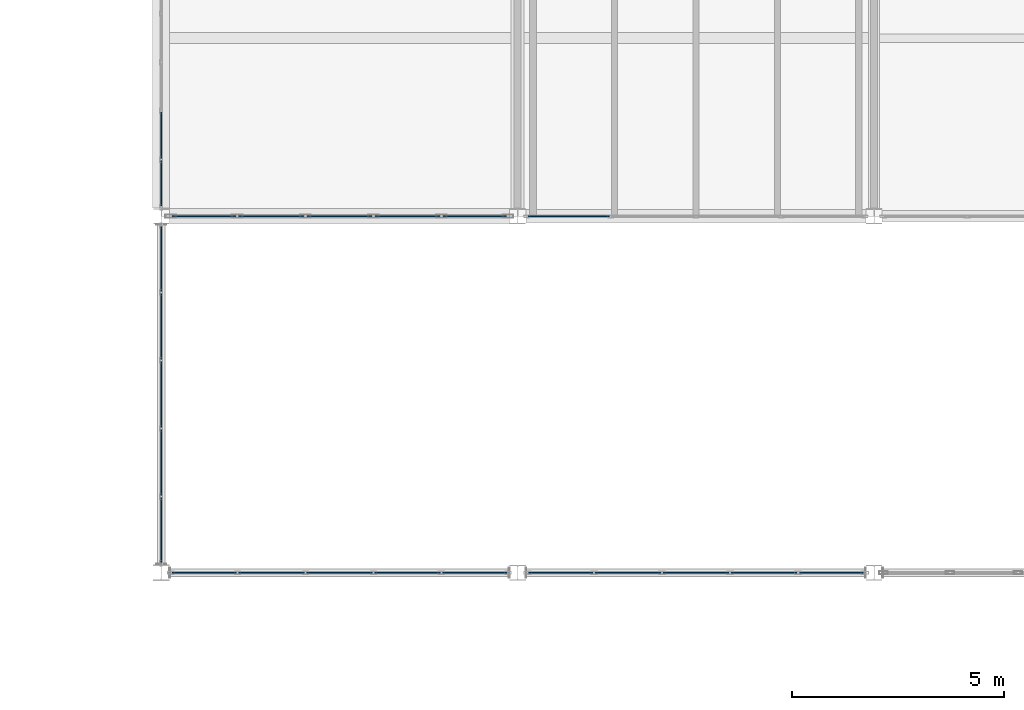
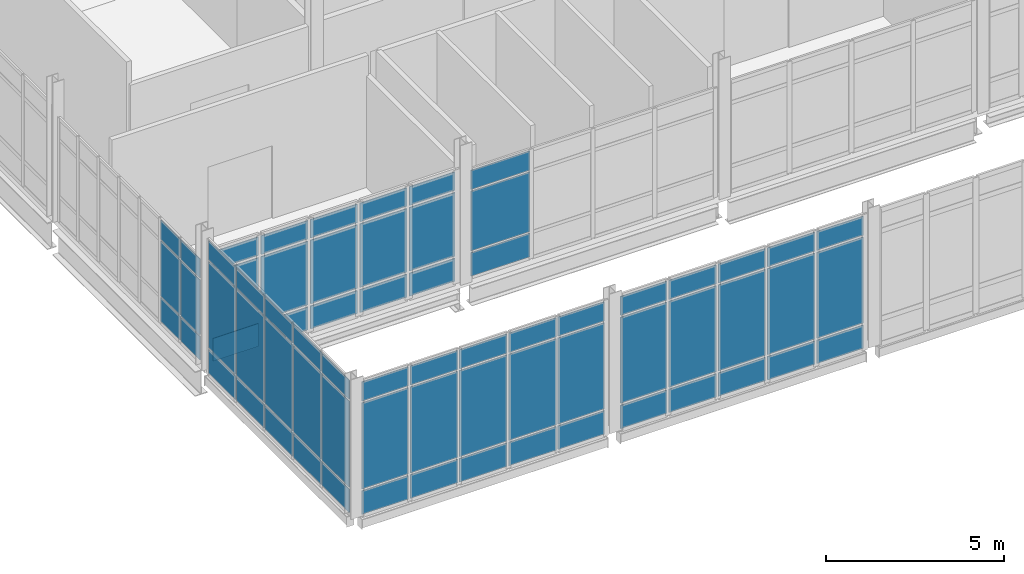
# One storey, part 118 of 186: 69 plates, 6 elements without a shape of their own.
"""IFC4 building model written with IfcOpenShell, lengths in metres."""

from ifc_helpers import new_model, si_unit, direction, frame, origin, origin_2d, place, context, subcontext, project, spatial, rectangle, extrude, material, layer, layer_set, type_object, element, aggregate, save


model = new_model("IFC4")

# Units and contexts
model_context = context("Model", 3, precision=1e-05, world=origin(), true_north=direction((0.0, 1.0)))
body_context = subcontext(model_context, "Body", "Model", "MODEL_VIEW")
ifc_project = project(units=[si_unit("LENGTHUNIT", "METRE"), si_unit("AREAUNIT", "SQUARE_METRE"), si_unit("VOLUMEUNIT", "CUBIC_METRE"), si_unit("PLANEANGLEUNIT", "RADIAN"), si_unit("MASSUNIT", "GRAM", prefix="KILO")], contexts=[model_context])

# Site, building, storey
site_placement = place(None, origin())
site = spatial("IfcSite", under=ifc_project, at=site_placement, CompositionType="ELEMENT")
building_placement = place(site_placement, origin())
building = spatial("IfcBuilding", under=site, at=building_placement, Name="Calvrana Isthmian Art Gallery", CompositionType="ELEMENT")
storey_placement = place(building_placement, frame((0.0, 0.0, 5.39990234375)))
storey = spatial("IfcBuildingStorey", under=building, at=storey_placement, Name="L01", CompositionType="ELEMENT", Elevation=5.39990234375)

# Curtain wall, plates
ifc_material_1 = material(Name="Anodized bronze aluminium 6063-T6", Category="aluminium")
ifc_layer_1 = layer(ifc_material_1, 0.179931640625, Name="Anodized bronze aluminium 6063-T6")
ifc_layer_set_1 = layer_set([ifc_layer_1], Name="Anodized bronze aluminium 6063-T6")
curtain_wall_type_1 = type_object("IfcCurtainWallType", Name="CW-STICK-080X47", PredefinedType="NOTDEFINED", material=ifc_layer_set_1)
curtain_wall_1_placement = place(storey_placement, origin())
curtain_wall_1 = element("IfcCurtainWall", 1, at=curtain_wall_1_placement, inside=storey, type_object=curtain_wall_type_1, Name="Curtain wall CW-001", PredefinedType="NOTDEFINED")
ifc_material_2 = material(Name="Low-E laminated solar glass", Category="glass")
ifc_layer_2 = layer(ifc_material_2, 0.028076171875, Name="Low-E laminated solar glass")
ifc_layer_set_2 = layer_set([ifc_layer_2], Name="Low-E laminated solar glass")
plate_type = type_object("IfcPlateType", Name="CWP-VISION-28", PredefinedType="CURTAIN_PANEL", material=ifc_layer_set_2)
plate_1_placement = place(storey_placement, frame((28.987548828125, 21.60009765625, -0.08984375), z_axis=(0.0, 0.0, 1.0), x_axis=(-1.0, 0.0, 0.0)))
plate_1 = element("IfcPlate", 2, at=plate_1_placement, type_object=plate_type, Name="CW-001 panel 1.1", PredefinedType="CURTAIN_PANEL", context=body_context, shape_type="SweptSolid", body=[
    extrude(rectangle(XDim=1.510986328125, YDim=0.028076171875, at=origin_2d()), origin(), (0.0, 0.0, 1.0), 0.81005859375),
])
plate_2_placement = place(storey_placement, frame((28.987548828125, 21.60009765625, 0.780029296875), z_axis=(0.0, 0.0, 1.0), x_axis=(-1.0, 0.0, 0.0)))
plate_2 = element("IfcPlate", 3, at=plate_2_placement, type_object=plate_type, Name="CW-001 panel 1.2", PredefinedType="CURTAIN_PANEL", context=body_context, shape_type="SweptSolid", body=[
    extrude(rectangle(XDim=1.510986328125, YDim=0.028076171875, at=origin_2d()), origin(), (0.0, 0.0, 1.0), 2.9599609375),
])
plate_3_placement = place(storey_placement, frame((28.987548828125, 21.60009765625, 3.80029296875), z_axis=(0.0, 0.0, 1.0), x_axis=(-1.0, 0.0, 0.0)))
plate_3 = element("IfcPlate", 4, at=plate_3_placement, type_object=plate_type, Name="CW-001 panel 1.3", PredefinedType="CURTAIN_PANEL", context=body_context, shape_type="SweptSolid", body=[
    extrude(rectangle(XDim=1.510986328125, YDim=0.028076171875, at=origin_2d()), origin(), (0.0, 0.0, 1.0), 0.659912109375),
])
plate_4_placement = place(storey_placement, frame((27.401611328125, 21.60009765625, -0.08984375), z_axis=(0.0, 0.0, 1.0), x_axis=(-1.0, 0.0, 0.0)))
plate_4 = element("IfcPlate", 5, at=plate_4_placement, type_object=plate_type, Name="CW-001 panel 2.1", PredefinedType="CURTAIN_PANEL", context=body_context, shape_type="SweptSolid", body=[
    extrude(rectangle(XDim=1.541015625, YDim=0.028076171875, at=origin_2d()), origin(), (0.0, 0.0, 1.0), 0.81005859375),
])
plate_5_placement = place(storey_placement, frame((27.401611328125, 21.60009765625, 0.780029296875), z_axis=(0.0, 0.0, 1.0), x_axis=(-1.0, 0.0, 0.0)))
plate_5 = element("IfcPlate", 6, at=plate_5_placement, type_object=plate_type, Name="CW-001 panel 2.2", PredefinedType="CURTAIN_PANEL", context=body_context, shape_type="SweptSolid", body=[
    extrude(rectangle(XDim=1.541015625, YDim=0.028076171875, at=origin_2d()), origin(), (0.0, 0.0, 1.0), 2.9599609375),
])
plate_6_placement = place(storey_placement, frame((27.401611328125, 21.60009765625, 3.80029296875), z_axis=(0.0, 0.0, 1.0), x_axis=(-1.0, 0.0, 0.0)))
plate_6 = element("IfcPlate", 7, at=plate_6_placement, type_object=plate_type, Name="CW-001 panel 2.3", PredefinedType="CURTAIN_PANEL", context=body_context, shape_type="SweptSolid", body=[
    extrude(rectangle(XDim=1.541015625, YDim=0.028076171875, at=origin_2d()), origin(), (0.0, 0.0, 1.0), 0.659912109375),
])
plate_7_placement = place(storey_placement, frame((25.800537109375, 21.60009765625, -0.08984375), z_axis=(0.0, 0.0, 1.0), x_axis=(-1.0, 0.0, 0.0)))
plate_7 = element("IfcPlate", 8, at=plate_7_placement, type_object=plate_type, Name="CW-001 panel 3.1", PredefinedType="CURTAIN_PANEL", context=body_context, shape_type="SweptSolid", body=[
    extrude(rectangle(XDim=1.541015625, YDim=0.028076171875, at=origin_2d()), origin(), (0.0, 0.0, 1.0), 0.81005859375),
])
plate_8_placement = place(storey_placement, frame((25.800537109375, 21.60009765625, 0.780029296875), z_axis=(0.0, 0.0, 1.0), x_axis=(-1.0, 0.0, 0.0)))
plate_8 = element("IfcPlate", 9, at=plate_8_placement, type_object=plate_type, Name="CW-001 panel 3.2", PredefinedType="CURTAIN_PANEL", context=body_context, shape_type="SweptSolid", body=[
    extrude(rectangle(XDim=1.541015625, YDim=0.028076171875, at=origin_2d()), origin(), (0.0, 0.0, 1.0), 2.9599609375),
])
plate_9_placement = place(storey_placement, frame((25.800537109375, 21.60009765625, 3.80029296875), z_axis=(0.0, 0.0, 1.0), x_axis=(-1.0, 0.0, 0.0)))
plate_9 = element("IfcPlate", 10, at=plate_9_placement, type_object=plate_type, Name="CW-001 panel 3.3", PredefinedType="CURTAIN_PANEL", context=body_context, shape_type="SweptSolid", body=[
    extrude(rectangle(XDim=1.541015625, YDim=0.028076171875, at=origin_2d()), origin(), (0.0, 0.0, 1.0), 0.659912109375),
])
plate_10_placement = place(storey_placement, frame((24.199462890625, 21.60009765625, -0.08984375), z_axis=(0.0, 0.0, 1.0), x_axis=(-1.0, 0.0, 0.0)))
plate_10 = element("IfcPlate", 11, at=plate_10_placement, type_object=plate_type, Name="CW-001 panel 4.1", PredefinedType="CURTAIN_PANEL", context=body_context, shape_type="SweptSolid", body=[
    extrude(rectangle(XDim=1.541015625, YDim=0.028076171875, at=origin_2d()), origin(), (0.0, 0.0, 1.0), 0.81005859375),
])
plate_11_placement = place(storey_placement, frame((24.199462890625, 21.60009765625, 0.780029296875), z_axis=(0.0, 0.0, 1.0), x_axis=(-1.0, 0.0, 0.0)))
plate_11 = element("IfcPlate", 12, at=plate_11_placement, type_object=plate_type, Name="CW-001 panel 4.2", PredefinedType="CURTAIN_PANEL", context=body_context, shape_type="SweptSolid", body=[
    extrude(rectangle(XDim=1.541015625, YDim=0.028076171875, at=origin_2d()), origin(), (0.0, 0.0, 1.0), 2.9599609375),
])
plate_12_placement = place(storey_placement, frame((24.199462890625, 21.60009765625, 3.80029296875), z_axis=(0.0, 0.0, 1.0), x_axis=(-1.0, 0.0, 0.0)))
plate_12 = element("IfcPlate", 13, at=plate_12_placement, type_object=plate_type, Name="CW-001 panel 4.3", PredefinedType="CURTAIN_PANEL", context=body_context, shape_type="SweptSolid", body=[
    extrude(rectangle(XDim=1.541015625, YDim=0.028076171875, at=origin_2d()), origin(), (0.0, 0.0, 1.0), 0.659912109375),
])
plate_13_placement = place(storey_placement, frame((22.613525390625, 21.60009765625, -0.08984375), z_axis=(0.0, 0.0, 1.0), x_axis=(-1.0, 0.0, 0.0)))
plate_13 = element("IfcPlate", 14, at=plate_13_placement, type_object=plate_type, Name="CW-001 panel 5.1", PredefinedType="CURTAIN_PANEL", context=body_context, shape_type="SweptSolid", body=[
    extrude(rectangle(XDim=1.510986328125, YDim=0.028076171875, at=origin_2d()), origin(), (0.0, 0.0, 1.0), 0.81005859375),
])
plate_14_placement = place(storey_placement, frame((22.613525390625, 21.60009765625, 0.780029296875), z_axis=(0.0, 0.0, 1.0), x_axis=(-1.0, 0.0, 0.0)))
plate_14 = element("IfcPlate", 15, at=plate_14_placement, type_object=plate_type, Name="CW-001 panel 5.2", PredefinedType="CURTAIN_PANEL", context=body_context, shape_type="SweptSolid", body=[
    extrude(rectangle(XDim=1.510986328125, YDim=0.028076171875, at=origin_2d()), origin(), (0.0, 0.0, 1.0), 2.9599609375),
])
plate_15_placement = place(storey_placement, frame((22.613525390625, 21.60009765625, 3.80029296875), z_axis=(0.0, 0.0, 1.0), x_axis=(-1.0, 0.0, 0.0)))
plate_15 = element("IfcPlate", 16, at=plate_15_placement, type_object=plate_type, Name="CW-001 panel 5.3", PredefinedType="CURTAIN_PANEL", context=body_context, shape_type="SweptSolid", body=[
    extrude(rectangle(XDim=1.510986328125, YDim=0.028076171875, at=origin_2d()), origin(), (0.0, 0.0, 1.0), 0.659912109375),
])
aggregate(curtain_wall_1, [plate_1, plate_2, plate_3, plate_4, plate_5, plate_6, plate_7, plate_8, plate_9, plate_10, plate_11, plate_12, plate_13, plate_14, plate_15])

curtain_wall_2_placement = place(storey_placement, origin())
curtain_wall_2 = element("IfcCurtainWall", 17, at=curtain_wall_2_placement, inside=storey, type_object=curtain_wall_type_1, Name="Curtain wall CW-002", PredefinedType="NOTDEFINED")
plate_16_placement = place(storey_placement, frame((37.3955078125, 21.60009765625, -0.0849609375), z_axis=(0.0, 0.0, 1.0), x_axis=(-1.0, 0.0, 0.0)))
plate_16 = element("IfcPlate", 18, at=plate_16_placement, type_object=plate_type, Name="CW-002 panel 1.1", PredefinedType="CURTAIN_PANEL", context=body_context, shape_type="SweptSolid", body=[
    extrude(rectangle(XDim=1.505859375, YDim=0.028076171875, at=origin_2d()), origin(), (0.0, 0.0, 1.0), 0.802490234375),
])
plate_17_placement = place(storey_placement, frame((37.3955078125, 21.60009765625, 0.782470703125), z_axis=(0.0, 0.0, 1.0), x_axis=(-1.0, 0.0, 0.0)))
plate_17 = element("IfcPlate", 19, at=plate_17_placement, type_object=plate_type, Name="CW-002 panel 1.2", PredefinedType="CURTAIN_PANEL", context=body_context, shape_type="SweptSolid", body=[
    extrude(rectangle(XDim=1.505859375, YDim=0.028076171875, at=origin_2d()), origin(), (0.0, 0.0, 1.0), 2.955078125),
])
plate_18_placement = place(storey_placement, frame((37.3955078125, 21.60009765625, 3.802734375), z_axis=(0.0, 0.0, 1.0), x_axis=(-1.0, 0.0, 0.0)))
plate_18 = element("IfcPlate", 20, at=plate_18_placement, type_object=plate_type, Name="CW-002 panel 1.3", PredefinedType="CURTAIN_PANEL", context=body_context, shape_type="SweptSolid", body=[
    extrude(rectangle(XDim=1.505859375, YDim=0.028076171875, at=origin_2d()), origin(), (0.0, 0.0, 1.0), 0.652587890625),
])
plate_19_placement = place(storey_placement, frame((35.80859375, 21.60009765625, -0.0849609375), z_axis=(0.0, 0.0, 1.0), x_axis=(-1.0, 0.0, 0.0)))
plate_19 = element("IfcPlate", 21, at=plate_19_placement, type_object=plate_type, Name="CW-002 panel 2.1", PredefinedType="CURTAIN_PANEL", context=body_context, shape_type="SweptSolid", body=[
    extrude(rectangle(XDim=1.538330078125, YDim=0.028076171875, at=origin_2d()), origin(), (0.0, 0.0, 1.0), 0.802490234375),
])
plate_20_placement = place(storey_placement, frame((35.80859375, 21.60009765625, 0.782470703125), z_axis=(0.0, 0.0, 1.0), x_axis=(-1.0, 0.0, 0.0)))
plate_20 = element("IfcPlate", 22, at=plate_20_placement, type_object=plate_type, Name="CW-002 panel 2.2", PredefinedType="CURTAIN_PANEL", context=body_context, shape_type="SweptSolid", body=[
    extrude(rectangle(XDim=1.538330078125, YDim=0.028076171875, at=origin_2d()), origin(), (0.0, 0.0, 1.0), 2.955078125),
])
plate_21_placement = place(storey_placement, frame((35.80859375, 21.60009765625, 3.802734375), z_axis=(0.0, 0.0, 1.0), x_axis=(-1.0, 0.0, 0.0)))
plate_21 = element("IfcPlate", 23, at=plate_21_placement, type_object=plate_type, Name="CW-002 panel 2.3", PredefinedType="CURTAIN_PANEL", context=body_context, shape_type="SweptSolid", body=[
    extrude(rectangle(XDim=1.538330078125, YDim=0.028076171875, at=origin_2d()), origin(), (0.0, 0.0, 1.0), 0.652587890625),
])
plate_22_placement = place(storey_placement, frame((34.205322265625, 21.60009765625, -0.0849609375), z_axis=(0.0, 0.0, 1.0), x_axis=(-1.0, 0.0, 0.0)))
plate_22 = element("IfcPlate", 24, at=plate_22_placement, type_object=plate_type, Name="CW-002 panel 3.1", PredefinedType="CURTAIN_PANEL", context=body_context, shape_type="SweptSolid", body=[
    extrude(rectangle(XDim=1.538330078125, YDim=0.028076171875, at=origin_2d()), origin(), (0.0, 0.0, 1.0), 0.802490234375),
])
plate_23_placement = place(storey_placement, frame((34.205322265625, 21.60009765625, 0.782470703125), z_axis=(0.0, 0.0, 1.0), x_axis=(-1.0, 0.0, 0.0)))
plate_23 = element("IfcPlate", 25, at=plate_23_placement, type_object=plate_type, Name="CW-002 panel 3.2", PredefinedType="CURTAIN_PANEL", context=body_context, shape_type="SweptSolid", body=[
    extrude(rectangle(XDim=1.538330078125, YDim=0.028076171875, at=origin_2d()), origin(), (0.0, 0.0, 1.0), 2.955078125),
])
plate_24_placement = place(storey_placement, frame((34.205322265625, 21.60009765625, 3.802734375), z_axis=(0.0, 0.0, 1.0), x_axis=(-1.0, 0.0, 0.0)))
plate_24 = element("IfcPlate", 26, at=plate_24_placement, type_object=plate_type, Name="CW-002 panel 3.3", PredefinedType="CURTAIN_PANEL", context=body_context, shape_type="SweptSolid", body=[
    extrude(rectangle(XDim=1.538330078125, YDim=0.028076171875, at=origin_2d()), origin(), (0.0, 0.0, 1.0), 0.652587890625),
])
plate_25_placement = place(storey_placement, frame((32.60205078125, 21.60009765625, -0.0849609375), z_axis=(0.0, 0.0, 1.0), x_axis=(-1.0, 0.0, 0.0)))
plate_25 = element("IfcPlate", 27, at=plate_25_placement, type_object=plate_type, Name="CW-002 panel 4.1", PredefinedType="CURTAIN_PANEL", context=body_context, shape_type="SweptSolid", body=[
    extrude(rectangle(XDim=1.538330078125, YDim=0.028076171875, at=origin_2d()), origin(), (0.0, 0.0, 1.0), 0.802490234375),
])
plate_26_placement = place(storey_placement, frame((32.60205078125, 21.60009765625, 0.782470703125), z_axis=(0.0, 0.0, 1.0), x_axis=(-1.0, 0.0, 0.0)))
plate_26 = element("IfcPlate", 28, at=plate_26_placement, type_object=plate_type, Name="CW-002 panel 4.2", PredefinedType="CURTAIN_PANEL", context=body_context, shape_type="SweptSolid", body=[
    extrude(rectangle(XDim=1.538330078125, YDim=0.028076171875, at=origin_2d()), origin(), (0.0, 0.0, 1.0), 2.955078125),
])
plate_27_placement = place(storey_placement, frame((32.60205078125, 21.60009765625, 3.802734375), z_axis=(0.0, 0.0, 1.0), x_axis=(-1.0, 0.0, 0.0)))
plate_27 = element("IfcPlate", 29, at=plate_27_placement, type_object=plate_type, Name="CW-002 panel 4.3", PredefinedType="CURTAIN_PANEL", context=body_context, shape_type="SweptSolid", body=[
    extrude(rectangle(XDim=1.538330078125, YDim=0.028076171875, at=origin_2d()), origin(), (0.0, 0.0, 1.0), 0.652587890625),
])
plate_28_placement = place(storey_placement, frame((31.014892578125, 21.60009765625, -0.0849609375), z_axis=(0.0, 0.0, 1.0), x_axis=(-1.0, 0.0, 0.0)))
plate_28 = element("IfcPlate", 30, at=plate_28_placement, type_object=plate_type, Name="CW-002 panel 5.1", PredefinedType="CURTAIN_PANEL", context=body_context, shape_type="SweptSolid", body=[
    extrude(rectangle(XDim=1.505859375, YDim=0.028076171875, at=origin_2d()), origin(), (0.0, 0.0, 1.0), 0.802490234375),
])
plate_29_placement = place(storey_placement, frame((31.014892578125, 21.60009765625, 0.782470703125), z_axis=(0.0, 0.0, 1.0), x_axis=(-1.0, 0.0, 0.0)))
plate_29 = element("IfcPlate", 31, at=plate_29_placement, type_object=plate_type, Name="CW-002 panel 5.2", PredefinedType="CURTAIN_PANEL", context=body_context, shape_type="SweptSolid", body=[
    extrude(rectangle(XDim=1.505859375, YDim=0.028076171875, at=origin_2d()), origin(), (0.0, 0.0, 1.0), 2.955078125),
])
plate_30_placement = place(storey_placement, frame((31.014892578125, 21.60009765625, 3.802734375), z_axis=(0.0, 0.0, 1.0), x_axis=(-1.0, 0.0, 0.0)))
plate_30 = element("IfcPlate", 32, at=plate_30_placement, type_object=plate_type, Name="CW-002 panel 5.3", PredefinedType="CURTAIN_PANEL", context=body_context, shape_type="SweptSolid", body=[
    extrude(rectangle(XDim=1.505859375, YDim=0.028076171875, at=origin_2d()), origin(), (0.0, 0.0, 1.0), 0.652587890625),
])
aggregate(curtain_wall_2, [plate_16, plate_17, plate_18, plate_19, plate_20, plate_21, plate_22, plate_23, plate_24, plate_25, plate_26, plate_27, plate_28, plate_29, plate_30])

curtain_wall_3_placement = place(storey_placement, origin())
curtain_wall_3 = element("IfcCurtainWall", 33, at=curtain_wall_3_placement, inside=storey, type_object=curtain_wall_type_1, Name="Curtain wall CW-006", PredefinedType="NOTDEFINED")
plate_31_placement = place(storey_placement, frame((21.60009765625, 22.60791015625, -0.08984375), z_axis=(0.0, 0.0, 1.0), x_axis=(0.0, 1.0, 0.0)))
plate_31 = element("IfcPlate", 34, at=plate_31_placement, type_object=plate_type, Name="CW-006 panel 1.1", PredefinedType="CURTAIN_PANEL", context=body_context, shape_type="SweptSolid", body=[
    extrude(rectangle(XDim=1.5146484375, YDim=0.028076171875, at=origin_2d()), origin(), (0.0, 0.0, 1.0), 0.81005859375),
])
plate_32_placement = place(storey_placement, frame((21.60009765625, 22.60791015625, 0.780029296875), z_axis=(0.0, 0.0, 1.0), x_axis=(0.0, 1.0, 0.0)))
plate_32 = element("IfcPlate", 35, at=plate_32_placement, type_object=plate_type, Name="CW-006 panel 1.2", PredefinedType="CURTAIN_PANEL", context=body_context, shape_type="SweptSolid", body=[
    extrude(rectangle(XDim=1.5146484375, YDim=0.028076171875, at=origin_2d()), origin(), (0.0, 0.0, 1.0), 2.9599609375),
])
plate_33_placement = place(storey_placement, frame((21.60009765625, 22.60791015625, 3.80029296875), z_axis=(0.0, 0.0, 1.0), x_axis=(0.0, 1.0, 0.0)))
plate_33 = element("IfcPlate", 36, at=plate_33_placement, type_object=plate_type, Name="CW-006 panel 1.3", PredefinedType="CURTAIN_PANEL", context=body_context, shape_type="SweptSolid", body=[
    extrude(rectangle(XDim=1.5146484375, YDim=0.028076171875, at=origin_2d()), origin(), (0.0, 0.0, 1.0), 0.659912109375),
])
plate_34_placement = place(storey_placement, frame((21.60009765625, 24.197509765625, -0.08984375), z_axis=(0.0, 0.0, 1.0), x_axis=(0.0, 1.0, 0.0)))
plate_34 = element("IfcPlate", 37, at=plate_34_placement, type_object=plate_type, Name="CW-006 panel 2.1", PredefinedType="CURTAIN_PANEL", context=body_context, shape_type="SweptSolid", body=[
    extrude(rectangle(XDim=1.544677734375, YDim=0.028076171875, at=origin_2d()), origin(), (0.0, 0.0, 1.0), 0.81005859375),
])
plate_35_placement = place(storey_placement, frame((21.60009765625, 24.197509765625, 0.780029296875), z_axis=(0.0, 0.0, 1.0), x_axis=(0.0, 1.0, 0.0)))
plate_35 = element("IfcPlate", 38, at=plate_35_placement, type_object=plate_type, Name="CW-006 panel 2.2", PredefinedType="CURTAIN_PANEL", context=body_context, shape_type="SweptSolid", body=[
    extrude(rectangle(XDim=1.544677734375, YDim=0.028076171875, at=origin_2d()), origin(), (0.0, 0.0, 1.0), 2.9599609375),
])
plate_36_placement = place(storey_placement, frame((21.60009765625, 24.197509765625, 3.80029296875), z_axis=(0.0, 0.0, 1.0), x_axis=(0.0, 1.0, 0.0)))
plate_36 = element("IfcPlate", 39, at=plate_36_placement, type_object=plate_type, Name="CW-006 panel 2.3", PredefinedType="CURTAIN_PANEL", context=body_context, shape_type="SweptSolid", body=[
    extrude(rectangle(XDim=1.544677734375, YDim=0.028076171875, at=origin_2d()), origin(), (0.0, 0.0, 1.0), 0.659912109375),
])
plate_37_placement = place(storey_placement, frame((21.60009765625, 25.802001953125, -0.08984375), z_axis=(0.0, 0.0, 1.0), x_axis=(0.0, 1.0, 0.0)))
plate_37 = element("IfcPlate", 40, at=plate_37_placement, type_object=plate_type, Name="CW-006 panel 3.1", PredefinedType="CURTAIN_PANEL", context=body_context, shape_type="SweptSolid", body=[
    extrude(rectangle(XDim=1.544677734375, YDim=0.028076171875, at=origin_2d()), origin(), (0.0, 0.0, 1.0), 0.81005859375),
])
plate_38_placement = place(storey_placement, frame((21.60009765625, 25.802001953125, 0.780029296875), z_axis=(0.0, 0.0, 1.0), x_axis=(0.0, 1.0, 0.0)))
plate_38 = element("IfcPlate", 41, at=plate_38_placement, type_object=plate_type, Name="CW-006 panel 3.2", PredefinedType="CURTAIN_PANEL", context=body_context, shape_type="SweptSolid", body=[
    extrude(rectangle(XDim=1.544677734375, YDim=0.028076171875, at=origin_2d()), origin(), (0.0, 0.0, 1.0), 2.9599609375),
])
plate_39_placement = place(storey_placement, frame((21.60009765625, 25.802001953125, 3.80029296875), z_axis=(0.0, 0.0, 1.0), x_axis=(0.0, 1.0, 0.0)))
plate_39 = element("IfcPlate", 42, at=plate_39_placement, type_object=plate_type, Name="CW-006 panel 3.3", PredefinedType="CURTAIN_PANEL", context=body_context, shape_type="SweptSolid", body=[
    extrude(rectangle(XDim=1.544677734375, YDim=0.028076171875, at=origin_2d()), origin(), (0.0, 0.0, 1.0), 0.659912109375),
])
plate_40_placement = place(storey_placement, frame((21.60009765625, 27.406494140625, -0.08984375), z_axis=(0.0, 0.0, 1.0), x_axis=(0.0, 1.0, 0.0)))
plate_40 = element("IfcPlate", 43, at=plate_40_placement, type_object=plate_type, Name="CW-006 panel 4.1", PredefinedType="CURTAIN_PANEL", context=body_context, shape_type="SweptSolid", body=[
    extrude(rectangle(XDim=1.544677734375, YDim=0.028076171875, at=origin_2d()), origin(), (0.0, 0.0, 1.0), 0.81005859375),
])
plate_41_placement = place(storey_placement, frame((21.60009765625, 27.406494140625, 0.780029296875), z_axis=(0.0, 0.0, 1.0), x_axis=(0.0, 1.0, 0.0)))
plate_41 = element("IfcPlate", 44, at=plate_41_placement, type_object=plate_type, Name="CW-006 panel 4.2", PredefinedType="CURTAIN_PANEL", context=body_context, shape_type="SweptSolid", body=[
    extrude(rectangle(XDim=1.544677734375, YDim=0.028076171875, at=origin_2d()), origin(), (0.0, 0.0, 1.0), 2.9599609375),
])
plate_42_placement = place(storey_placement, frame((21.60009765625, 27.406494140625, 3.80029296875), z_axis=(0.0, 0.0, 1.0), x_axis=(0.0, 1.0, 0.0)))
plate_42 = element("IfcPlate", 45, at=plate_42_placement, type_object=plate_type, Name="CW-006 panel 4.3", PredefinedType="CURTAIN_PANEL", context=body_context, shape_type="SweptSolid", body=[
    extrude(rectangle(XDim=1.544677734375, YDim=0.028076171875, at=origin_2d()), origin(), (0.0, 0.0, 1.0), 0.659912109375),
])
plate_43_placement = place(storey_placement, frame((21.60009765625, 28.99609375, -0.08984375), z_axis=(0.0, 0.0, 1.0), x_axis=(0.0, 1.0, 0.0)))
plate_43 = element("IfcPlate", 46, at=plate_43_placement, type_object=plate_type, Name="CW-006 panel 5.1", PredefinedType="CURTAIN_PANEL", context=body_context, shape_type="SweptSolid", body=[
    extrude(rectangle(XDim=1.5146484375, YDim=0.028076171875, at=origin_2d()), origin(), (0.0, 0.0, 1.0), 0.81005859375),
])
plate_44_placement = place(storey_placement, frame((21.60009765625, 28.99609375, 0.780029296875), z_axis=(0.0, 0.0, 1.0), x_axis=(0.0, 1.0, 0.0)))
plate_44 = element("IfcPlate", 47, at=plate_44_placement, type_object=plate_type, Name="CW-006 panel 5.2", PredefinedType="CURTAIN_PANEL", context=body_context, shape_type="SweptSolid", body=[
    extrude(rectangle(XDim=1.5146484375, YDim=0.028076171875, at=origin_2d()), origin(), (0.0, 0.0, 1.0), 2.9599609375),
])
plate_45_placement = place(storey_placement, frame((21.60009765625, 28.99609375, 3.80029296875), z_axis=(0.0, 0.0, 1.0), x_axis=(0.0, 1.0, 0.0)))
plate_45 = element("IfcPlate", 48, at=plate_45_placement, type_object=plate_type, Name="CW-006 panel 5.3", PredefinedType="CURTAIN_PANEL", context=body_context, shape_type="SweptSolid", body=[
    extrude(rectangle(XDim=1.5146484375, YDim=0.028076171875, at=origin_2d()), origin(), (0.0, 0.0, 1.0), 0.659912109375),
])
aggregate(curtain_wall_3, [plate_31, plate_32, plate_33, plate_34, plate_35, plate_36, plate_37, plate_38, plate_39, plate_40, plate_41, plate_42, plate_43, plate_44, plate_45])

ifc_layer_3 = layer(ifc_material_1, 0.179931640625, Name="Anodized bronze aluminium 6063-T6")
ifc_layer_set_3 = layer_set([ifc_layer_3], Name="Anodized bronze aluminium 6063-T6")
curtain_wall_type_2 = type_object("IfcCurtainWallType", Name="CW-STICK-080X39", PredefinedType="NOTDEFINED", material=ifc_layer_set_3)
curtain_wall_4_placement = place(storey_placement, origin())
curtain_wall_4 = element("IfcCurtainWall", 49, at=curtain_wall_4_placement, inside=storey, type_object=curtain_wall_type_2, Name="Curtain wall CW-089", PredefinedType="NOTDEFINED")
plate_46_placement = place(storey_placement, frame((28.99072265625, 30.0, 0.074951171875), z_axis=(0.0, 0.0, 1.0), x_axis=(-1.0, 0.0, 0.0)))
plate_46 = element("IfcPlate", 50, at=plate_46_placement, type_object=plate_type, Name="CW-089 panel 1.1", PredefinedType="CURTAIN_PANEL", context=body_context, shape_type="SweptSolid", body=[
    extrude(rectangle(XDim=1.4853515625, YDim=0.028076171875, at=origin_2d()), origin(), (0.0, 0.0, 1.0), 0.78759765625),
])
plate_47_placement = place(storey_placement, frame((28.99072265625, 30.0, 0.9375), z_axis=(0.0, 0.0, 1.0), x_axis=(-1.0, 0.0, 0.0)))
plate_47 = element("IfcPlate", 51, at=plate_47_placement, type_object=plate_type, Name="CW-089 panel 1.2", PredefinedType="CURTAIN_PANEL", context=body_context, shape_type="SweptSolid", body=[
    extrude(rectangle(XDim=1.4853515625, YDim=0.028076171875, at=origin_2d()), origin(), (0.0, 0.0, 1.0), 2.18310546875),
])
plate_48_placement = place(storey_placement, frame((28.99072265625, 30.0, 3.19580078125), z_axis=(0.0, 0.0, 1.0), x_axis=(-1.0, 0.0, 0.0)))
plate_48 = element("IfcPlate", 52, at=plate_48_placement, type_object=plate_type, Name="CW-089 panel 1.3", PredefinedType="CURTAIN_PANEL", context=body_context, shape_type="SweptSolid", body=[
    extrude(rectangle(XDim=1.4853515625, YDim=0.028076171875, at=origin_2d()), origin(), (0.0, 0.0, 1.0), 0.637451171875),
])
plate_49_placement = place(storey_placement, frame((27.405517578125, 30.0, 0.074951171875), z_axis=(0.0, 0.0, 1.0), x_axis=(-1.0, 0.0, 0.0)))
plate_49 = element("IfcPlate", 53, at=plate_49_placement, type_object=plate_type, Name="CW-089 panel 2.1", PredefinedType="CURTAIN_PANEL", context=body_context, shape_type="SweptSolid", body=[
    extrude(rectangle(XDim=1.525390625, YDim=0.028076171875, at=origin_2d()), origin(), (0.0, 0.0, 1.0), 0.78759765625),
])
plate_50_placement = place(storey_placement, frame((27.405517578125, 30.0, 0.9375), z_axis=(0.0, 0.0, 1.0), x_axis=(-1.0, 0.0, 0.0)))
plate_50 = element("IfcPlate", 54, at=plate_50_placement, type_object=plate_type, Name="CW-089 panel 2.2", PredefinedType="CURTAIN_PANEL", context=body_context, shape_type="SweptSolid", body=[
    extrude(rectangle(XDim=1.525390625, YDim=0.028076171875, at=origin_2d()), origin(), (0.0, 0.0, 1.0), 2.18310546875),
])
plate_51_placement = place(storey_placement, frame((27.405517578125, 30.0, 3.19580078125), z_axis=(0.0, 0.0, 1.0), x_axis=(-1.0, 0.0, 0.0)))
plate_51 = element("IfcPlate", 55, at=plate_51_placement, type_object=plate_type, Name="CW-089 panel 2.3", PredefinedType="CURTAIN_PANEL", context=body_context, shape_type="SweptSolid", body=[
    extrude(rectangle(XDim=1.525390625, YDim=0.028076171875, at=origin_2d()), origin(), (0.0, 0.0, 1.0), 0.637451171875),
])
plate_52_placement = place(storey_placement, frame((25.800048828125, 30.0, 0.074951171875), z_axis=(0.0, 0.0, 1.0), x_axis=(-1.0, 0.0, 0.0)))
plate_52 = element("IfcPlate", 56, at=plate_52_placement, type_object=plate_type, Name="CW-089 panel 3.1", PredefinedType="CURTAIN_PANEL", context=body_context, shape_type="SweptSolid", body=[
    extrude(rectangle(XDim=1.525390625, YDim=0.028076171875, at=origin_2d()), origin(), (0.0, 0.0, 1.0), 0.78759765625),
])
plate_53_placement = place(storey_placement, frame((25.800048828125, 30.0, 0.9375), z_axis=(0.0, 0.0, 1.0), x_axis=(-1.0, 0.0, 0.0)))
plate_53 = element("IfcPlate", 57, at=plate_53_placement, type_object=plate_type, Name="CW-089 panel 3.2", PredefinedType="CURTAIN_PANEL", context=body_context, shape_type="SweptSolid", body=[
    extrude(rectangle(XDim=1.525390625, YDim=0.028076171875, at=origin_2d()), origin(), (0.0, 0.0, 1.0), 2.18310546875),
])
plate_54_placement = place(storey_placement, frame((25.800048828125, 30.0, 3.19580078125), z_axis=(0.0, 0.0, 1.0), x_axis=(-1.0, 0.0, 0.0)))
plate_54 = element("IfcPlate", 58, at=plate_54_placement, type_object=plate_type, Name="CW-089 panel 3.3", PredefinedType="CURTAIN_PANEL", context=body_context, shape_type="SweptSolid", body=[
    extrude(rectangle(XDim=1.525390625, YDim=0.028076171875, at=origin_2d()), origin(), (0.0, 0.0, 1.0), 0.637451171875),
])
plate_55_placement = place(storey_placement, frame((24.194580078125, 30.0, 0.074951171875), z_axis=(0.0, 0.0, 1.0), x_axis=(-1.0, 0.0, 0.0)))
plate_55 = element("IfcPlate", 59, at=plate_55_placement, type_object=plate_type, Name="CW-089 panel 4.1", PredefinedType="CURTAIN_PANEL", context=body_context, shape_type="SweptSolid", body=[
    extrude(rectangle(XDim=1.525390625, YDim=0.028076171875, at=origin_2d()), origin(), (0.0, 0.0, 1.0), 0.78759765625),
])
plate_56_placement = place(storey_placement, frame((24.194580078125, 30.0, 0.9375), z_axis=(0.0, 0.0, 1.0), x_axis=(-1.0, 0.0, 0.0)))
plate_56 = element("IfcPlate", 60, at=plate_56_placement, type_object=plate_type, Name="CW-089 panel 4.2", PredefinedType="CURTAIN_PANEL", context=body_context, shape_type="SweptSolid", body=[
    extrude(rectangle(XDim=1.525390625, YDim=0.028076171875, at=origin_2d()), origin(), (0.0, 0.0, 1.0), 2.18310546875),
])
plate_57_placement = place(storey_placement, frame((24.194580078125, 30.0, 3.19580078125), z_axis=(0.0, 0.0, 1.0), x_axis=(-1.0, 0.0, 0.0)))
plate_57 = element("IfcPlate", 61, at=plate_57_placement, type_object=plate_type, Name="CW-089 panel 4.3", PredefinedType="CURTAIN_PANEL", context=body_context, shape_type="SweptSolid", body=[
    extrude(rectangle(XDim=1.525390625, YDim=0.028076171875, at=origin_2d()), origin(), (0.0, 0.0, 1.0), 0.637451171875),
])
plate_58_placement = place(storey_placement, frame((22.609130859375, 30.0, 0.074951171875), z_axis=(0.0, 0.0, 1.0), x_axis=(-1.0, 0.0, 0.0)))
plate_58 = element("IfcPlate", 62, at=plate_58_placement, type_object=plate_type, Name="CW-089 panel 5.1", PredefinedType="CURTAIN_PANEL", context=body_context, shape_type="SweptSolid", body=[
    extrude(rectangle(XDim=1.4853515625, YDim=0.028076171875, at=origin_2d()), origin(), (0.0, 0.0, 1.0), 0.78759765625),
])
plate_59_placement = place(storey_placement, frame((22.609130859375, 30.0, 0.9375), z_axis=(0.0, 0.0, 1.0), x_axis=(-1.0, 0.0, 0.0)))
plate_59 = element("IfcPlate", 63, at=plate_59_placement, type_object=plate_type, Name="CW-089 panel 5.2", PredefinedType="CURTAIN_PANEL", context=body_context, shape_type="SweptSolid", body=[
    extrude(rectangle(XDim=1.4853515625, YDim=0.028076171875, at=origin_2d()), origin(), (0.0, 0.0, 1.0), 2.18310546875),
])
plate_60_placement = place(storey_placement, frame((22.609130859375, 30.0, 3.19580078125), z_axis=(0.0, 0.0, 1.0), x_axis=(-1.0, 0.0, 0.0)))
plate_60 = element("IfcPlate", 64, at=plate_60_placement, type_object=plate_type, Name="CW-089 panel 5.3", PredefinedType="CURTAIN_PANEL", context=body_context, shape_type="SweptSolid", body=[
    extrude(rectangle(XDim=1.4853515625, YDim=0.028076171875, at=origin_2d()), origin(), (0.0, 0.0, 1.0), 0.637451171875),
])
aggregate(curtain_wall_4, [plate_46, plate_47, plate_48, plate_49, plate_50, plate_51, plate_52, plate_53, plate_54, plate_55, plate_56, plate_57, plate_58, plate_59, plate_60])

ifc_layer_4 = layer(ifc_material_1, 0.179931640625, Name="Anodized bronze aluminium 6063-T6")
ifc_layer_set_4 = layer_set([ifc_layer_4], Name="Anodized bronze aluminium 6063-T6")
curtain_wall_type_3 = type_object("IfcCurtainWallType", Name="CW-UNIT-080X38", PredefinedType="USERDEFINED", material=ifc_layer_set_4)
curtain_wall_5_placement = place(storey_placement, origin())
curtain_wall_5 = element("IfcCurtainWall", 65, at=curtain_wall_5_placement, inside=storey, type_object=curtain_wall_type_3, Name="Curtain wall CW-090", ObjectType="UNITISED CURTAIN WALL", PredefinedType="USERDEFINED")
plate_61_placement = place(storey_placement, frame((31.205078125, 30.0, 0.06005859375), z_axis=(0.0, 0.0, 1.0), x_axis=(-1.0, 0.0, 0.0)))
plate_61 = element("IfcPlate", 66, at=plate_61_placement, type_object=plate_type, Name="CW-090 panel 4.1", PredefinedType="CURTAIN_PANEL", context=body_context, shape_type="SweptSolid", body=[
    extrude(rectangle(XDim=1.9169921875, YDim=0.028076171875, at=origin_2d()), origin(), (0.0, 0.0, 1.0), 0.81005859375),
])
plate_62_placement = place(storey_placement, frame((31.205078125, 30.0, 0.93017578125), z_axis=(0.0, 0.0, 1.0), x_axis=(-1.0, 0.0, 0.0)))
plate_62 = element("IfcPlate", 67, at=plate_62_placement, type_object=plate_type, Name="CW-090 panel 4.2", PredefinedType="CURTAIN_PANEL", context=body_context, shape_type="SweptSolid", body=[
    extrude(rectangle(XDim=1.9169921875, YDim=0.028076171875, at=origin_2d()), origin(), (0.0, 0.0, 1.0), 2.048095703125),
])
plate_63_placement = place(storey_placement, frame((31.205078125, 30.0, 3.0380859375), z_axis=(0.0, 0.0, 1.0), x_axis=(-1.0, 0.0, 0.0)))
plate_63 = element("IfcPlate", 68, at=plate_63_placement, type_object=plate_type, Name="CW-090 panel 4.3", PredefinedType="CURTAIN_PANEL", context=body_context, shape_type="SweptSolid", body=[
    extrude(rectangle(XDim=1.9169921875, YDim=0.028076171875, at=origin_2d()), origin(), (0.0, 0.0, 1.0), 0.659912109375),
])
aggregate(curtain_wall_5, [plate_61, plate_62, plate_63])

ifc_layer_5 = layer(ifc_material_1, 0.179931640625, Name="Anodized bronze aluminium 6063-T6")
ifc_layer_set_5 = layer_set([ifc_layer_5], Name="Anodized bronze aluminium 6063-T6")
curtain_wall_type_4 = type_object("IfcCurtainWallType", Name="CW-UNIT-080X36", PredefinedType="USERDEFINED", material=ifc_layer_set_5)
curtain_wall_6_placement = place(storey_placement, origin())
curtain_wall_6 = element("IfcCurtainWall", 69, at=curtain_wall_6_placement, inside=storey, type_object=curtain_wall_type_4, Name="Curtain wall CW-120", ObjectType="UNITISED CURTAIN WALL", PredefinedType="USERDEFINED")
plate_64_placement = place(storey_placement, frame((21.60009765625, 30.775390625, 0.06005859375), z_axis=(0.0, 0.0, 1.0), x_axis=(0.0, 1.0, 0.0)))
plate_64 = element("IfcPlate", 70, at=plate_64_placement, type_object=plate_type, Name="CW-120 panel 1.1", PredefinedType="CURTAIN_PANEL", context=body_context, shape_type="SweptSolid", body=[
    extrude(rectangle(XDim=1.057861328125, YDim=0.028076171875, at=origin_2d()), origin(), (0.0, 0.0, 1.0), 0.81005859375),
])
plate_65_placement = place(storey_placement, frame((21.60009765625, 30.775390625, 0.93017578125), z_axis=(0.0, 0.0, 1.0), x_axis=(0.0, 1.0, 0.0)))
plate_65 = element("IfcPlate", 71, at=plate_65_placement, type_object=plate_type, Name="CW-120 panel 1.2", PredefinedType="CURTAIN_PANEL", context=body_context, shape_type="SweptSolid", body=[
    extrude(rectangle(XDim=1.057861328125, YDim=0.028076171875, at=origin_2d()), origin(), (0.0, 0.0, 1.0), 1.883056640625),
])
plate_66_placement = place(storey_placement, frame((21.60009765625, 30.775390625, 2.873046875), z_axis=(0.0, 0.0, 1.0), x_axis=(0.0, 1.0, 0.0)))
plate_66 = element("IfcPlate", 72, at=plate_66_placement, type_object=plate_type, Name="CW-120 panel 1.3", PredefinedType="CURTAIN_PANEL", context=body_context, shape_type="SweptSolid", body=[
    extrude(rectangle(XDim=1.057861328125, YDim=0.028076171875, at=origin_2d()), origin(), (0.0, 0.0, 1.0), 0.659912109375),
])
plate_67_placement = place(storey_placement, frame((21.60009765625, 31.908447265625, 0.06005859375), z_axis=(0.0, 0.0, 1.0), x_axis=(0.0, 1.0, 0.0)))
plate_67 = element("IfcPlate", 73, at=plate_67_placement, type_object=plate_type, Name="CW-120 panel 2.1", PredefinedType="CURTAIN_PANEL", context=body_context, shape_type="SweptSolid", body=[
    extrude(rectangle(XDim=1.087890625, YDim=0.028076171875, at=origin_2d()), origin(), (0.0, 0.0, 1.0), 0.81005859375),
])
plate_68_placement = place(storey_placement, frame((21.60009765625, 31.908447265625, 0.93017578125), z_axis=(0.0, 0.0, 1.0), x_axis=(0.0, 1.0, 0.0)))
plate_68 = element("IfcPlate", 74, at=plate_68_placement, type_object=plate_type, Name="CW-120 panel 2.2", PredefinedType="CURTAIN_PANEL", context=body_context, shape_type="SweptSolid", body=[
    extrude(rectangle(XDim=1.087890625, YDim=0.028076171875, at=origin_2d()), origin(), (0.0, 0.0, 1.0), 1.883056640625),
])
plate_69_placement = place(storey_placement, frame((21.60009765625, 31.908447265625, 2.873046875), z_axis=(0.0, 0.0, 1.0), x_axis=(0.0, 1.0, 0.0)))
plate_69 = element("IfcPlate", 75, at=plate_69_placement, type_object=plate_type, Name="CW-120 panel 2.3", PredefinedType="CURTAIN_PANEL", context=body_context, shape_type="SweptSolid", body=[
    extrude(rectangle(XDim=1.087890625, YDim=0.028076171875, at=origin_2d()), origin(), (0.0, 0.0, 1.0), 0.659912109375),
])
aggregate(curtain_wall_6, [plate_64, plate_65, plate_66, plate_67, plate_68, plate_69])

save(model, "model.ifc")
